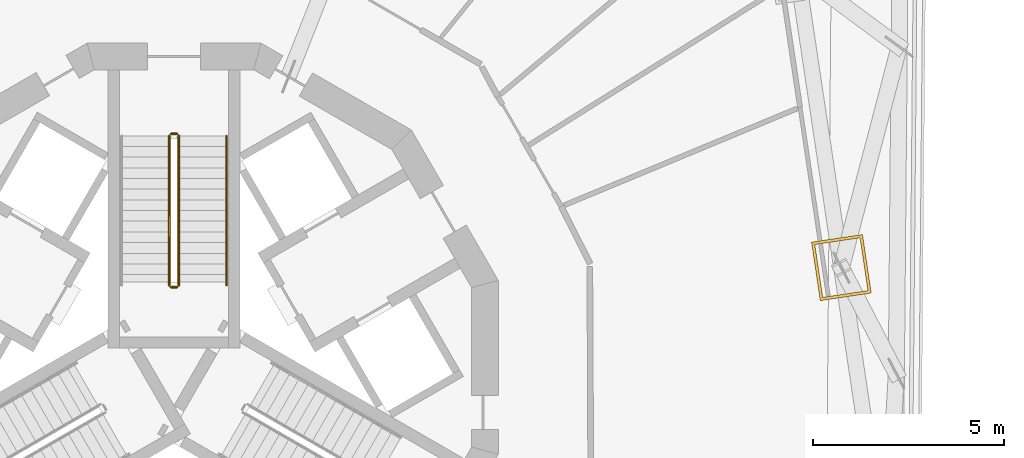
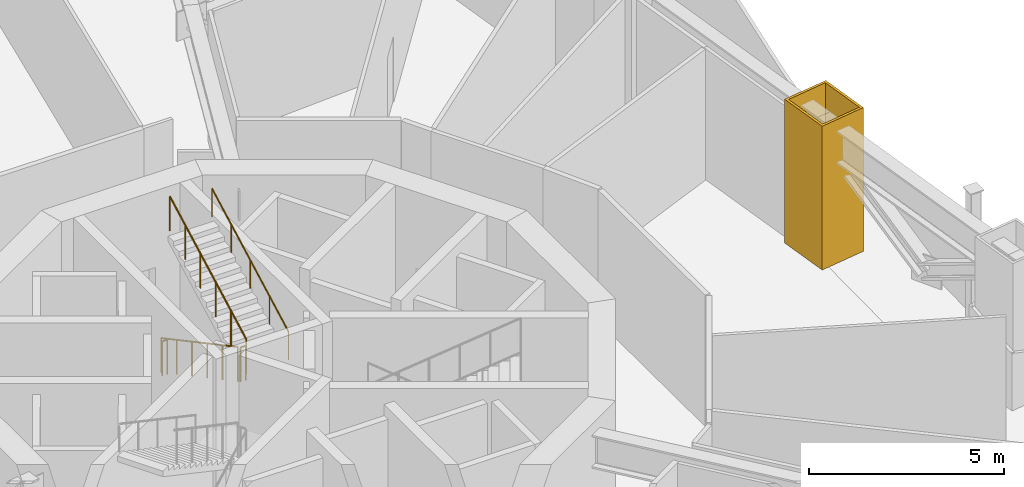
# One storey, part 24 of 27: 5 railings, 1 covering.
"""IFC4 building model written with IfcOpenShell, lengths in metres."""

from ifc_helpers import new_model, si_unit, direction, frame, origin, origin_2d, place, context, subcontext, project, spatial, polyline, circle, outline, extrude, material, layer, layer_set, type_object, element, save


model = new_model("IFC4")

# Units and contexts
model_context = context("Model", 3, precision=1e-05, world=origin(), true_north=direction((0.0, 1.0)))
body_context = subcontext(model_context, "Body", "Model", "MODEL_VIEW")
ifc_project = project(units=[si_unit("LENGTHUNIT", "METRE"), si_unit("AREAUNIT", "SQUARE_METRE"), si_unit("VOLUMEUNIT", "CUBIC_METRE"), si_unit("PLANEANGLEUNIT", "RADIAN"), si_unit("MASSUNIT", "GRAM", prefix="KILO")], contexts=[model_context])

# Site, building, storey
site_placement = place(None, origin())
site = spatial("IfcSite", under=ifc_project, at=site_placement, CompositionType="ELEMENT")
building_placement = place(site_placement, origin())
building = spatial("IfcBuilding", under=site, at=building_placement, Name="Trine Commons Tower", CompositionType="ELEMENT")
storey_placement = place(building_placement, frame((0.0, 0.0, 193.5)))
storey = spatial("IfcBuildingStorey", under=building, at=storey_placement, Name="L50", CompositionType="ELEMENT", Elevation=193.5)

# Covering
ifc_material_1 = material(Name="Limestone, honed", Category="masonry")
ifc_layer = layer(ifc_material_1, 0.074951171875)
ifc_layer_set = layer_set([ifc_layer], Name="Limestone, honed")
covering_type = type_object("IfcCoveringType", Name="Limestone column cladding 75", PredefinedType="CLADDING", material=ifc_layer_set)
covering_placement = place(storey_placement, origin())
element("IfcCovering", 1, at=covering_placement, inside=storey, type_object=covering_type, Name="Limestone pier cladding 6-18", PredefinedType="CLADDING", context=body_context, shape_type="SweptSolid", body=[
    extrude(outline(polyline([(98.049072265625, 65.981201171875), (96.714111328125, 65.781494140625), (96.943115234375, 64.24853515625), (98.2783203125, 64.447998046875), (98.049072265625, 65.981201171875)]), holes=[polyline([(97.986083984375, 65.895751953125), (96.79931640625, 65.718505859375), (97.006103515625, 64.333740234375), (98.193115234375, 64.51123046875), (97.986083984375, 65.895751953125)])]), origin(), (0.0, 0.0, 1.0), 4.5),
])

# Railings
ifc_material_2 = material(Name="Stainless steel balustrade", Category="steel")
railing_type_1 = type_object("IfcRailingType", Name="Stair guard, steel balustrade 1100", PredefinedType="GUARDRAIL", material=ifc_material_2)
railing_1_placement = place(storey_placement, frame((79.875, 68.570556640625, 0.14990234375)))
element("IfcRailing", 2, at=railing_1_placement, inside=storey, type_object=railing_type_1, Name="L50 ST1C stair guard 1", PredefinedType="GUARDRAIL", context=body_context, shape_type="SweptSolid", body=[
    extrude(circle(Radius=0.02392578125, at=origin_2d()), frame((0.0, 0.0, 1.076171875), z_axis=(0.0, -0.881466911329, 0.472245787945), x_axis=(1.0, 0.0, 0.0)), (0.0, 0.0, 1.0), 4.447021484375),
    extrude(circle(Radius=0.02099609375, at=origin_2d()), origin(), (0.0, 0.0, 1.0), 1.052001953125),
    extrude(circle(Radius=0.02099609375, at=origin_2d()), frame((0.0, -0.783935546875, 0.419921875)), (0.0, 0.0, 1.0), 1.052001953125),
    extrude(circle(Radius=0.02099609375, at=origin_2d()), frame((0.0, -1.56787109375, 0.840087890625)), (0.0, 0.0, 1.0), 1.052001953125),
    extrude(circle(Radius=0.02099609375, at=origin_2d()), frame((0.0, -2.35205078125, 1.260009765625)), (0.0, 0.0, 1.0), 1.052001953125),
    extrude(circle(Radius=0.02099609375, at=origin_2d()), frame((0.0, -3.135986328125, 1.68017578125)), (0.0, 0.0, 1.0), 1.052001953125),
    extrude(circle(Radius=0.02099609375, at=origin_2d()), frame((0.0, -3.919921875, 2.10009765625)), (0.0, 0.0, 1.0), 1.052001953125),
])
railing_2_placement = place(storey_placement, frame((79.925048828125, 64.6005859375, 2.25)))
element("IfcRailing", 3, at=railing_2_placement, inside=storey, type_object=railing_type_1, Name="L50 ST1C stair guard 2", PredefinedType="GUARDRAIL", context=body_context, shape_type="SweptSolid", body=[
    extrude(circle(Radius=0.02392578125, at=origin_2d()), frame((0.0, 0.0, 1.076171875), z_axis=(1.0, 0.0, 0.0), x_axis=(0.0, 1.0, 0.0)), (0.0, 0.0, 1.0), 0.14990234375),
    extrude(circle(Radius=0.02099609375, at=origin_2d()), origin(), (0.0, 0.0, 1.0), 1.052001953125),
    extrude(circle(Radius=0.02099609375, at=origin_2d()), frame((0.14990234375, 0.0, 0.0)), (0.0, 0.0, 1.0), 1.052001953125),
])
railing_3_placement = place(storey_placement, frame((80.125, 64.650634765625, 2.39990234375)))
element("IfcRailing", 4, at=railing_3_placement, inside=storey, type_object=railing_type_1, Name="L50 ST1C stair guard 3", PredefinedType="GUARDRAIL", context=body_context, shape_type="SweptSolid", body=[
    extrude(circle(Radius=0.02392578125, at=origin_2d()), frame((0.0, 0.0, 1.076171875), z_axis=(0.0, 0.881466911329, 0.472245787945), x_axis=(-1.0, 0.0, 0.0)), (0.0, 0.0, 1.0), 4.447021484375),
    extrude(circle(Radius=0.02099609375, at=origin_2d()), origin(), (0.0, 0.0, 1.0), 1.052001953125),
    extrude(circle(Radius=0.02099609375, at=origin_2d()), frame((0.0, 0.783935546875, 0.419921875)), (0.0, 0.0, 1.0), 1.052001953125),
    extrude(circle(Radius=0.02099609375, at=origin_2d()), frame((0.0, 1.56787109375, 0.840087890625)), (0.0, 0.0, 1.0), 1.052001953125),
    extrude(circle(Radius=0.02099609375, at=origin_2d()), frame((0.0, 2.35205078125, 1.260009765625)), (0.0, 0.0, 1.0), 1.052001953125),
    extrude(circle(Radius=0.02099609375, at=origin_2d()), frame((0.0, 3.135986328125, 1.68017578125)), (0.0, 0.0, 1.0), 1.052001953125),
    extrude(circle(Radius=0.02099609375, at=origin_2d()), frame((0.0, 3.919921875, 2.10009765625)), (0.0, 0.0, 1.0), 1.052001953125),
])
railing_4_placement = place(storey_placement, frame((79.925048828125, 68.62060546875, 0.0)))
element("IfcRailing", 5, at=railing_4_placement, inside=storey, type_object=railing_type_1, Name="L50 ST1C stair guard 4", PredefinedType="GUARDRAIL", context=body_context, shape_type="SweptSolid", body=[
    extrude(circle(Radius=0.02392578125, at=origin_2d()), frame((0.0, 0.0, 1.076171875), z_axis=(1.0, 0.0, 0.0), x_axis=(0.0, 1.0, 0.0)), (0.0, 0.0, 1.0), 0.14990234375),
    extrude(circle(Radius=0.02099609375, at=origin_2d()), origin(), (0.0, 0.0, 1.0), 1.052001953125),
    extrude(circle(Radius=0.02099609375, at=origin_2d()), frame((0.14990234375, 0.0, 0.0)), (0.0, 0.0, 1.0), 1.052001953125),
])
ifc_material_3 = material(Name="Stainless steel handrail", Category="steel")
railing_type_2 = type_object("IfcRailingType", Name="Stair handrail, steel 900", PredefinedType="HANDRAIL", material=ifc_material_3)
railing_5_placement = place(storey_placement, frame((81.375, 64.650634765625, 2.39990234375)))
element("IfcRailing", 6, at=railing_5_placement, inside=storey, type_object=railing_type_2, Name="L50 ST1C stair handrail 2", PredefinedType="HANDRAIL", context=body_context, shape_type="SweptSolid", body=[
    extrude(circle(Radius=0.02099609375, at=origin_2d()), frame((0.0, 0.0, 0.87890625), z_axis=(0.0, 0.881466911329, 0.472245787945), x_axis=(-1.0, 0.0, 0.0)), (0.0, 0.0, 1.0), 4.447021484375),
    extrude(circle(Radius=0.01513671875, at=origin_2d()), origin(), (0.0, 0.0, 1.0), 0.85791015625),
    extrude(circle(Radius=0.01513671875, at=origin_2d()), frame((0.0, 0.97998046875, 0.52490234375)), (0.0, 0.0, 1.0), 0.85791015625),
    extrude(circle(Radius=0.01513671875, at=origin_2d()), frame((0.0, 1.9599609375, 1.050048828125)), (0.0, 0.0, 1.0), 0.85791015625),
    extrude(circle(Radius=0.01513671875, at=origin_2d()), frame((0.0, 2.93994140625, 1.5751953125)), (0.0, 0.0, 1.0), 0.85791015625),
    extrude(circle(Radius=0.01513671875, at=origin_2d()), frame((0.0, 3.919921875, 2.10009765625)), (0.0, 0.0, 1.0), 0.85791015625),
])

save(model, "model.ifc")
